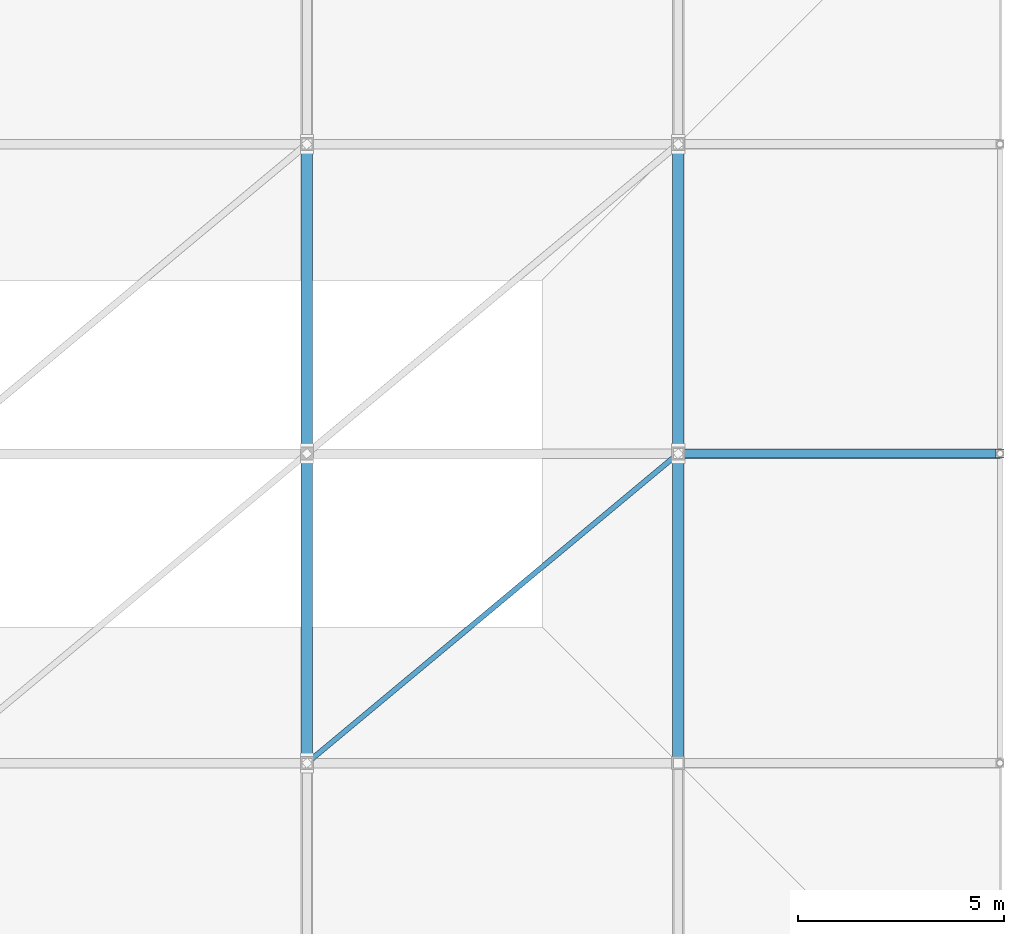
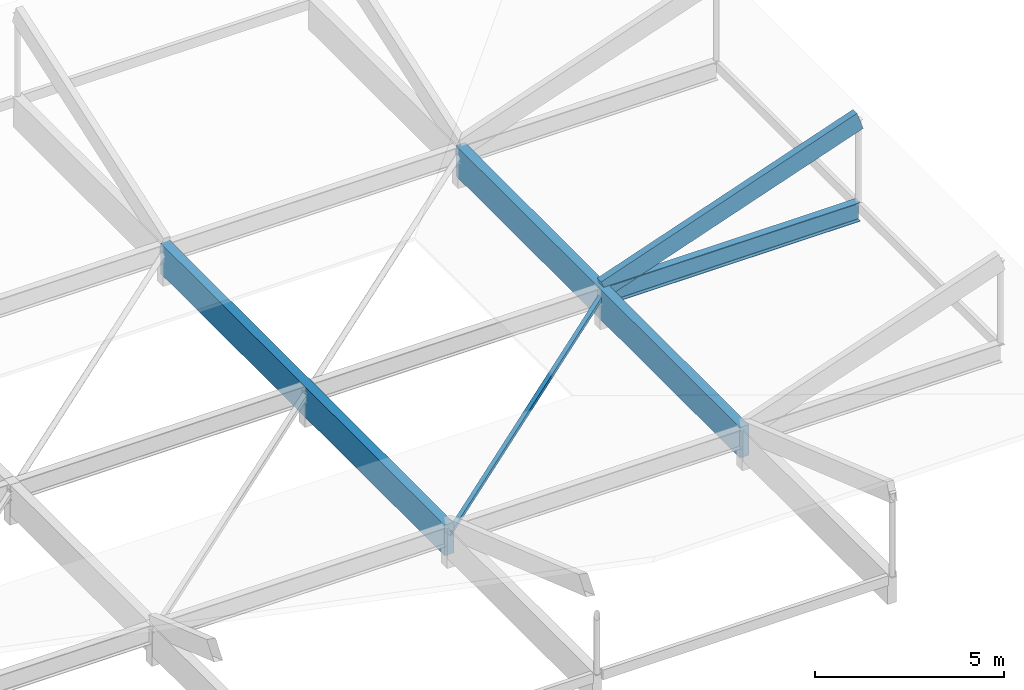
# One storey, part 12 of 19: 3 beams, 2 members.
"""IFC4 building model written with IfcOpenShell, lengths in metres."""

from ifc_helpers import new_model, si_unit, direction, frame, origin, origin_2d, place, context, subcontext, project, spatial, rectangle, hollow_rectangle, i_section, extrude, material, material_profile, profile_set, type_object, element, save


model = new_model("IFC4")

# Units and contexts
model_context = context("Model", 3, precision=1e-05, world=origin(), true_north=direction((0.0, 1.0)))
body_context = subcontext(model_context, "Body", "Model", "MODEL_VIEW")
ifc_project = project(units=[si_unit("LENGTHUNIT", "METRE"), si_unit("AREAUNIT", "SQUARE_METRE"), si_unit("VOLUMEUNIT", "CUBIC_METRE"), si_unit("PLANEANGLEUNIT", "RADIAN"), si_unit("MASSUNIT", "GRAM", prefix="KILO")], contexts=[model_context])

# Site, building, storey
site_placement = place(None, origin())
site = spatial("IfcSite", under=ifc_project, at=site_placement, CompositionType="ELEMENT")
building_placement = place(site_placement, origin())
building = spatial("IfcBuilding", under=site, at=building_placement, Name="Marnridge Secondary College", CompositionType="ELEMENT")
storey_placement = place(building_placement, frame((0.0, 0.0, 23.699951171875)))
storey = spatial("IfcBuildingStorey", under=building, at=storey_placement, Name="Roof Level", CompositionType="ELEMENT", Elevation=23.699951171875)

# Beams
ifc_material_1 = material(Name="Glulam timber GL18", Category="wood")
ifc_material_profile_1 = material_profile(ifc_material_1, rectangle(XDim=0.280029296875, YDim=0.97998046875, at=origin_2d()), Name="GL18 280x980")
ifc_profile_set_1 = profile_set([ifc_material_profile_1], Name="Glulam timber GL18")
beam_type_1 = type_object("IfcBeamType", Name="BM-GL980-EXT", PredefinedType="BEAM", material=ifc_profile_set_1)
for number, where, z_axis, x_axis, name in (
    (1, (81.0, 52.5, 0.81005859375), (0.0, 1.0, 0.0), (-1.0, 0.0, 0.0), "Beam BCAN-Roo-1495"),
    (2, (90.0, 52.5, 0.81005859375), (0.0, 1.0, 0.0), (-1.0, 0.0, 0.0), "Beam BCAN-Roo-1498"),
):
    element("IfcBeam", number, at=place(storey_placement, frame(where, z_axis=z_axis, x_axis=x_axis)), inside=storey, type_object=beam_type_1, Name=name, PredefinedType="BEAM", context=body_context, shape_type="SweptSolid", body=[
        extrude(rectangle(XDim=0.280029296875, YDim=0.97998046875, at=origin_2d()), origin(), (0.0, 0.0, 1.0), 15.0),
    ])
ifc_material_2 = material(Name="Structural steel Grade 350 (AS/NZS 3679.1/.2, fy = 340-360 MPa)", Category="steel")
ifc_material_profile_2 = material_profile(ifc_material_2, i_section(OverallWidth=0.22900390625, OverallDepth=0.611572265625, WebThickness=0.011962890625, FlangeThickness=0.01953125, FilletRadius=0.013916015625, at=origin_2d()), Name="610UB125")
ifc_profile_set_2 = profile_set([ifc_material_profile_2], Name="Structural steel Grade 350 (AS/NZS 3679.1/.2, fy = 340-360 MPa)")
beam_type_2 = type_object("IfcBeamType", Name="BM-UB610-EXT", PredefinedType="BEAM", material=ifc_profile_set_2)
beam_placement = place(storey_placement, frame((90.151611328125, 60.0, 0.994140625), z_axis=(1.0, 0.0, 0.0), x_axis=(0.0, 1.0, 0.0)))
element("IfcBeam", 3, at=beam_placement, inside=storey, type_object=beam_type_2, Name="Beam BCAN-Roo-1482", PredefinedType="BEAM", context=body_context, shape_type="SweptSolid", body=[
    extrude(i_section(OverallWidth=0.22900390625, OverallDepth=0.611572265625, WebThickness=0.011962890625, FlangeThickness=0.01953125, FilletRadius=0.013916015625, at=origin_2d()), origin(), (0.0, 0.0, 1.0), 7.6484375),
])

# Members
ifc_material_3 = material(Name="Cold-formed steel Grade C350L0 (AS/NZS 1163, fy = 350 MPa)", Category="steel")
ifc_material_profile_3 = material_profile(ifc_material_3, hollow_rectangle(XDim=0.125, YDim=0.125, WallThickness=0.006103515625, at=origin_2d()), Name="125x125x6.0SHS")
ifc_profile_set_3 = profile_set([ifc_material_profile_3], Name="Cold-formed steel Grade C350L0 (AS/NZS 1163, fy = 350 MPa)")
member_type_1 = type_object("IfcMemberType", Name="MB-BR-SHS125", PredefinedType="BRACE", material=ifc_profile_set_3)
member_1_placement = place(storey_placement, frame((81.0, 52.5, 1.0), z_axis=(0.768221279597, 0.640184399664, 0.0), x_axis=(-0.640184399664, 0.768221279597, 0.0)))
element("IfcMember", 4, at=member_1_placement, inside=storey, type_object=member_type_1, Name="Lateral brace BR-014", PredefinedType="BRACE", context=body_context, shape_type="SweptSolid", body=[
    extrude(hollow_rectangle(XDim=0.125, YDim=0.125, WallThickness=0.006103515625, at=origin_2d()), origin(), (0.0, 0.0, 1.0), 11.71533203125),
])
ifc_material_4 = material(Name="Glulam timber GL18", Category="wood")
ifc_material_profile_4 = material_profile(ifc_material_4, rectangle(XDim=0.215087890625, YDim=0.5849609375, at=origin_2d()), Name="GL18 215x585")
ifc_profile_set_4 = profile_set([ifc_material_profile_4], Name="Glulam timber GL18")
member_type_2 = type_object("IfcMemberType", Name="MB-GS-GL585", PredefinedType="CHORD", material=ifc_profile_set_4)
member_2_placement = place(storey_placement, frame((90.0, 60.0, 1.219970703125), z_axis=(0.944796411745, 0.0, 0.327657962444), x_axis=(0.0, 1.0, 0.0)))
element("IfcMember", 5, at=member_2_placement, inside=storey, type_object=member_type_2, Name="Canopy overhang truss chord MCR-014", PredefinedType="CHORD", context=body_context, shape_type="SweptSolid", body=[
    extrude(rectangle(XDim=0.215087890625, YDim=0.5849609375, at=origin_2d()), origin(), (0.0, 0.0, 1.0), 8.255859375),
])

save(model, "model.ifc")
